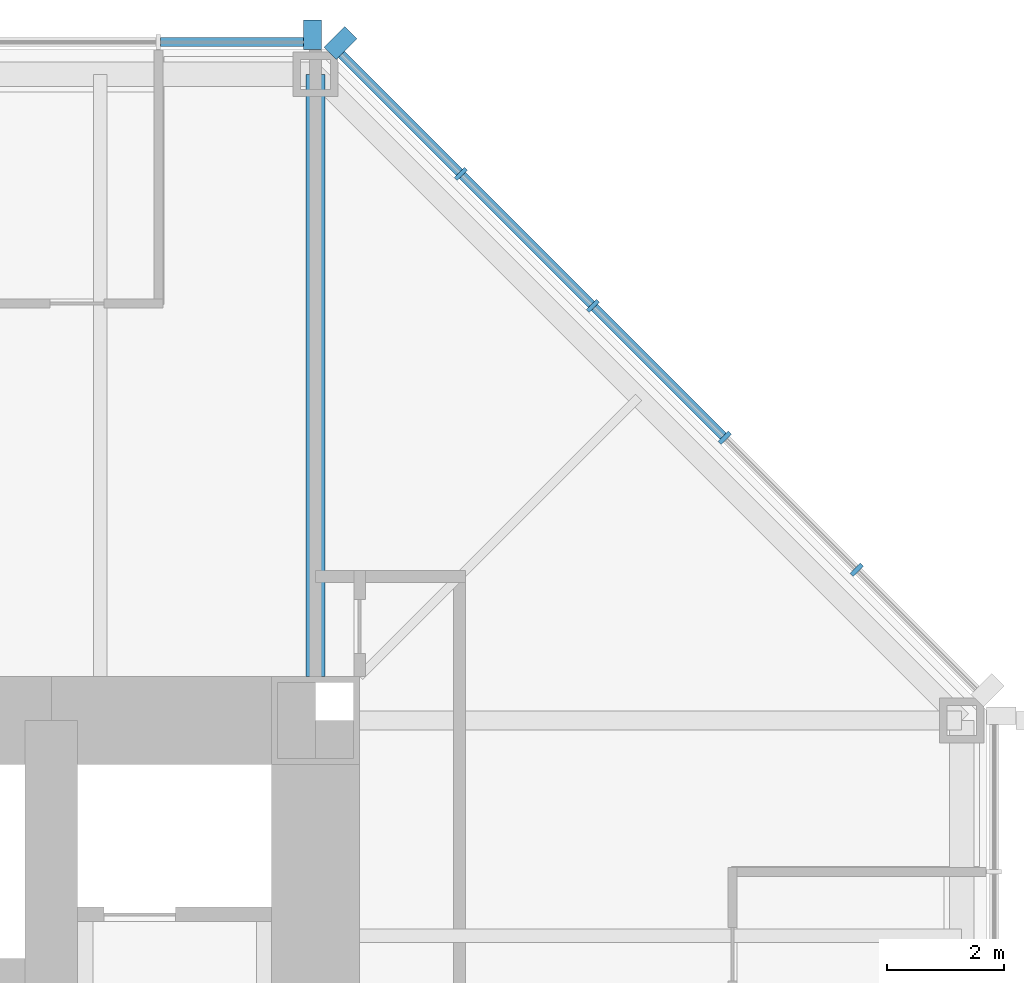
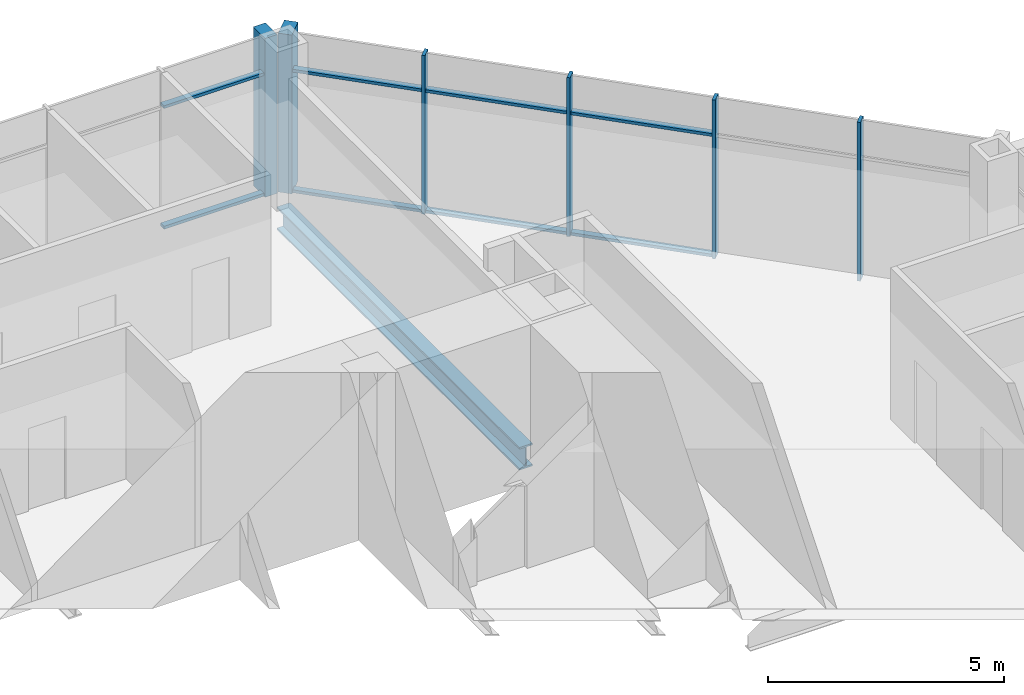
# One storey, part 6 of 14: 14 members, 1 beam, 2 elements without a shape of their own.
"""IFC4 building model written with IfcOpenShell, lengths in metres."""

from ifc_helpers import new_model, si_unit, direction, frame, origin, origin_2d, place, context, subcontext, project, spatial, rectangle, i_section, extrude, material, material_profile, profile_set, type_object, element, aggregate, save


model = new_model("IFC4")

# Units and contexts
model_context = context("Model", 3, precision=1e-05, world=origin(), true_north=direction((0.0, 1.0)))
body_context = subcontext(model_context, "Body", "Model", "MODEL_VIEW")
ifc_project = project(units=[si_unit("LENGTHUNIT", "METRE"), si_unit("AREAUNIT", "SQUARE_METRE"), si_unit("VOLUMEUNIT", "CUBIC_METRE"), si_unit("PLANEANGLEUNIT", "RADIAN"), si_unit("MASSUNIT", "GRAM", prefix="KILO")], contexts=[model_context])

# Site, building, storey
site_placement = place(None, origin())
site = spatial("IfcSite", under=ifc_project, at=site_placement, CompositionType="ELEMENT")
building_placement = place(site_placement, origin())
building = spatial("IfcBuilding", under=site, at=building_placement, Name="Trevanion Tower", CompositionType="ELEMENT")
storey_placement = place(building_placement, frame((0.0, 0.0, 104.89990234375)))
storey = spatial("IfcBuildingStorey", under=building, at=storey_placement, Name="L24", CompositionType="ELEMENT", Elevation=104.89990234375)

# Curtain wall, members
ifc_material_1 = material(Name="Aluminium and glass", Category="aluminium")
curtain_wall_type = type_object("IfcCurtainWallType", Name="CW2 curtain wall", PredefinedType="USERDEFINED", material=ifc_material_1)
curtain_wall_1_placement = place(storey_placement, origin())
curtain_wall_1 = element("IfcCurtainWall", 1, at=curtain_wall_1_placement, inside=storey, type_object=curtain_wall_type, Name="CW2 L24 1", ObjectType="UNITISED CURTAIN WALL", PredefinedType="USERDEFINED")
ifc_material_2 = material(Name="Aluminium extrusion, anodised bronze", Category="aluminium")
ifc_material_profile_1 = material_profile(ifc_material_2, rectangle(XDim=0.074951171875, YDim=0.25, at=origin_2d()), Name="CW2 mullion")
ifc_profile_set_1 = profile_set([ifc_material_profile_1], Name="Aluminium extrusion, anodised bronze")
member_type_1 = type_object("IfcMemberType", Name="CW2 mullion", PredefinedType="MULLION", material=ifc_profile_set_1)
member_1_placement = place(storey_placement, frame((20.2119140625, 13.56591796875, -0.18994140625), z_axis=(0.0, 0.0, 1.0), x_axis=(-0.707106781187, 0.707106781187, 0.0)))
member_1 = element("IfcMember", 2, at=member_1_placement, type_object=member_type_1, Name="CW2 mullion 2", PredefinedType="MULLION", context=body_context, shape_type="SweptSolid", body=[
    extrude(rectangle(XDim=0.074951171875, YDim=0.25, at=origin_2d()), origin(), (0.0, 0.0, 1.0), 4.10009765625),
])
member_2_placement = place(storey_placement, frame((17.966064453125, 15.811767578125, -0.18994140625), z_axis=(0.0, 0.0, 1.0), x_axis=(-0.707106781187, 0.707106781187, 0.0)))
member_2 = element("IfcMember", 3, at=member_2_placement, type_object=member_type_1, Name="CW2 mullion 3", PredefinedType="MULLION", context=body_context, shape_type="SweptSolid", body=[
    extrude(rectangle(XDim=0.074951171875, YDim=0.25, at=origin_2d()), origin(), (0.0, 0.0, 1.0), 4.10009765625),
])
member_3_placement = place(storey_placement, frame((15.719970703125, 18.057861328125, -0.18994140625), z_axis=(0.0, 0.0, 1.0), x_axis=(-0.707106781187, 0.707106781187, 0.0)))
member_3 = element("IfcMember", 4, at=member_3_placement, type_object=member_type_1, Name="CW2 mullion 4", PredefinedType="MULLION", context=body_context, shape_type="SweptSolid", body=[
    extrude(rectangle(XDim=0.074951171875, YDim=0.25, at=origin_2d()), origin(), (0.0, 0.0, 1.0), 4.10009765625),
])
member_4_placement = place(storey_placement, frame((13.473876953125, 20.303955078125, -0.18994140625), z_axis=(0.0, 0.0, 1.0), x_axis=(-0.707106781187, 0.707106781187, 0.0)))
member_4 = element("IfcMember", 5, at=member_4_placement, type_object=member_type_1, Name="CW2 mullion 5", PredefinedType="MULLION", context=body_context, shape_type="SweptSolid", body=[
    extrude(rectangle(XDim=0.074951171875, YDim=0.25, at=origin_2d()), origin(), (0.0, 0.0, 1.0), 4.10009765625),
])
ifc_material_3 = material(Name="Aluminium extrusion, anodised bronze", Category="aluminium")
ifc_material_profile_2 = material_profile(ifc_material_3, rectangle(XDim=0.300048828125, YDim=0.5, at=origin_2d()), Name="CW2 pier mullion")
ifc_profile_set_2 = profile_set([ifc_material_profile_2], Name="Aluminium extrusion, anodised bronze")
member_type_2 = type_object("IfcMemberType", Name="CW2 pier mullion", PredefinedType="MULLION", material=ifc_profile_set_2)
member_5_placement = place(storey_placement, frame((11.42236328125, 22.5322265625, -0.18994140625), z_axis=(0.0, 0.0, 1.0), x_axis=(-0.707106781187, 0.707106781187, 0.0)))
member_5 = element("IfcMember", 6, at=member_5_placement, type_object=member_type_2, Name="CW2 pier mullion 6", PredefinedType="MULLION", context=body_context, shape_type="SweptSolid", body=[
    extrude(rectangle(XDim=0.300048828125, YDim=0.5, at=origin_2d()), origin(), (0.0, 0.0, 1.0), 4.10009765625),
])

# Curtain wall, member
curtain_wall_2_placement = place(storey_placement, origin())
curtain_wall_2 = element("IfcCurtainWall", 7, at=curtain_wall_2_placement, inside=storey, type_object=curtain_wall_type, Name="CW2 L24 2", ObjectType="UNITISED CURTAIN WALL", PredefinedType="USERDEFINED")
member_6_placement = place(storey_placement, frame((10.94775390625, 22.675048828125, -0.18994140625), z_axis=(0.0, 0.0, 1.0), x_axis=(-1.0, 0.0, 0.0)))
member_6 = element("IfcMember", 8, at=member_6_placement, type_object=member_type_2, Name="CW2 pier mullion 1", PredefinedType="MULLION", context=body_context, shape_type="SweptSolid", body=[
    extrude(rectangle(XDim=0.300048828125, YDim=0.5, at=origin_2d()), origin(), (0.0, 0.0, 1.0), 4.10009765625),
])

# Member
ifc_material_4 = material(Name="Aluminium extrusion, anodised bronze", Category="aluminium")
ifc_material_profile_3 = material_profile(ifc_material_4, rectangle(XDim=0.14990234375, YDim=0.074951171875, at=origin_2d()), Name="CW2 transom")
ifc_profile_set_3 = profile_set([ifc_material_profile_3], Name="Aluminium extrusion, anodised bronze")
member_type_3 = type_object("IfcMemberType", Name="CW2 transom", PredefinedType="USERDEFINED", material=ifc_profile_set_3)
member_7_placement = place(storey_placement, frame((17.939453125, 15.83837890625, -0.15234375), z_axis=(-0.707106781187, 0.707106781187, 0.0), x_axis=(-0.707106781187, -0.707106781187, 0.0)))
member_7 = element("IfcMember", 9, at=member_7_placement, type_object=member_type_3, Name="CW2 transom 3.1", ObjectType="TRANSOM", PredefinedType="USERDEFINED", context=body_context, shape_type="SweptSolid", body=[
    extrude(rectangle(XDim=0.14990234375, YDim=0.074951171875, at=origin_2d()), origin(), (0.0, 0.0, 1.0), 3.1015625),
])

member_8_placement = place(storey_placement, frame((17.939453125, 15.83837890625, 2.960205078125), z_axis=(-0.707106781187, 0.707106781187, 0.0), x_axis=(-0.707106781187, -0.707106781187, 0.0)))
member_8 = element("IfcMember", 10, at=member_8_placement, type_object=member_type_3, Name="CW2 transom 3.2", ObjectType="TRANSOM", PredefinedType="USERDEFINED", context=body_context, shape_type="SweptSolid", body=[
    extrude(rectangle(XDim=0.14990234375, YDim=0.074951171875, at=origin_2d()), origin(), (0.0, 0.0, 1.0), 3.1015625),
])

member_9_placement = place(storey_placement, frame((15.693359375, 18.08447265625, -0.15234375), z_axis=(-0.707106781187, 0.707106781187, 0.0), x_axis=(-0.707106781187, -0.707106781187, 0.0)))
member_9 = element("IfcMember", 11, at=member_9_placement, type_object=member_type_3, Name="CW2 transom 4.1", ObjectType="TRANSOM", PredefinedType="USERDEFINED", context=body_context, shape_type="SweptSolid", body=[
    extrude(rectangle(XDim=0.14990234375, YDim=0.074951171875, at=origin_2d()), origin(), (0.0, 0.0, 1.0), 3.10107421875),
])

member_10_placement = place(storey_placement, frame((15.693359375, 18.08447265625, 2.960205078125), z_axis=(-0.707106781187, 0.707106781187, 0.0), x_axis=(-0.707106781187, -0.707106781187, 0.0)))
member_10 = element("IfcMember", 12, at=member_10_placement, type_object=member_type_3, Name="CW2 transom 4.2", ObjectType="TRANSOM", PredefinedType="USERDEFINED", context=body_context, shape_type="SweptSolid", body=[
    extrude(rectangle(XDim=0.14990234375, YDim=0.074951171875, at=origin_2d()), origin(), (0.0, 0.0, 1.0), 3.10107421875),
])

member_11_placement = place(storey_placement, frame((13.447509765625, 20.33056640625, -0.15234375), z_axis=(-0.707149778163, 0.707063781595, 0.0), x_axis=(-0.707063781595, -0.707149778163, 0.0)))
member_11 = element("IfcMember", 13, at=member_11_placement, type_object=member_type_3, Name="CW2 transom 5.1", ObjectType="TRANSOM", PredefinedType="USERDEFINED", context=body_context, shape_type="SweptSolid", body=[
    extrude(rectangle(XDim=0.14990234375, YDim=0.074951171875, at=origin_2d()), origin(), (0.0, 0.0, 1.0), 2.8388671875),
])

member_12_placement = place(storey_placement, frame((13.447509765625, 20.33056640625, 2.960205078125), z_axis=(-0.707149778163, 0.707063781595, 0.0), x_axis=(-0.707063781595, -0.707149778163, 0.0)))
member_12 = element("IfcMember", 14, at=member_12_placement, type_object=member_type_3, Name="CW2 transom 5.2", ObjectType="TRANSOM", PredefinedType="USERDEFINED", context=body_context, shape_type="SweptSolid", body=[
    extrude(rectangle(XDim=0.14990234375, YDim=0.074951171875, at=origin_2d()), origin(), (0.0, 0.0, 1.0), 2.8388671875),
])

aggregate(curtain_wall_1, [member_1, member_2, member_3, member_4, member_5, member_7, member_8, member_9, member_10, member_11, member_12])

member_13_placement = place(storey_placement, frame((10.7978515625, 22.550048828125, -0.15234375), z_axis=(-1.0, 0.0, 0.0), x_axis=(0.0, -1.0, 0.0)))
member_13 = element("IfcMember", 15, at=member_13_placement, type_object=member_type_3, Name="CW2 transom 1.1", ObjectType="TRANSOM", PredefinedType="USERDEFINED", context=body_context, shape_type="SweptSolid", body=[
    extrude(rectangle(XDim=0.14990234375, YDim=0.074951171875, at=origin_2d()), origin(), (0.0, 0.0, 1.0), 2.43701171875),
])

member_14_placement = place(storey_placement, frame((10.7978515625, 22.550048828125, 2.960205078125), z_axis=(-1.0, 0.0, 0.0), x_axis=(0.0, -1.0, 0.0)))
member_14 = element("IfcMember", 16, at=member_14_placement, type_object=member_type_3, Name="CW2 transom 1.2", ObjectType="TRANSOM", PredefinedType="USERDEFINED", context=body_context, shape_type="SweptSolid", body=[
    extrude(rectangle(XDim=0.14990234375, YDim=0.074951171875, at=origin_2d()), origin(), (0.0, 0.0, 1.0), 2.43701171875),
])

aggregate(curtain_wall_2, [member_6, member_13, member_14])

# Beam
ifc_material_5 = material(Name="Steel ASTM A992 Grade 50", Category="steel")
ifc_material_profile_4 = material_profile(ifc_material_5, i_section(OverallWidth=0.320068359375, OverallDepth=0.584228515625, WebThickness=0.023193359375, FlangeThickness=0.04150390625, at=origin_2d()), Name="W21X201")
ifc_profile_set_4 = profile_set([ifc_material_profile_4], Name="Steel ASTM A992 Grade 50")
beam_type = type_object("IfcBeamType", Name="G4 W21X201", PredefinedType="BEAM", material=ifc_profile_set_4)
beam_placement = place(storey_placement, frame((11.0, 11.75, -0.48193359375), z_axis=(0.0, 1.0, 0.0), x_axis=(-1.0, 0.0, 0.0)))
element("IfcBeam", 17, at=beam_placement, inside=storey, type_object=beam_type, Name="G4 L24", PredefinedType="BEAM", context=body_context, shape_type="SweptSolid", body=[
    extrude(i_section(OverallWidth=0.320068359375, OverallDepth=0.584228515625, WebThickness=0.023193359375, FlangeThickness=0.04150390625, at=origin_2d()), origin(), (0.0, 0.0, 1.0), 10.25),
])

save(model, "model.ifc")
